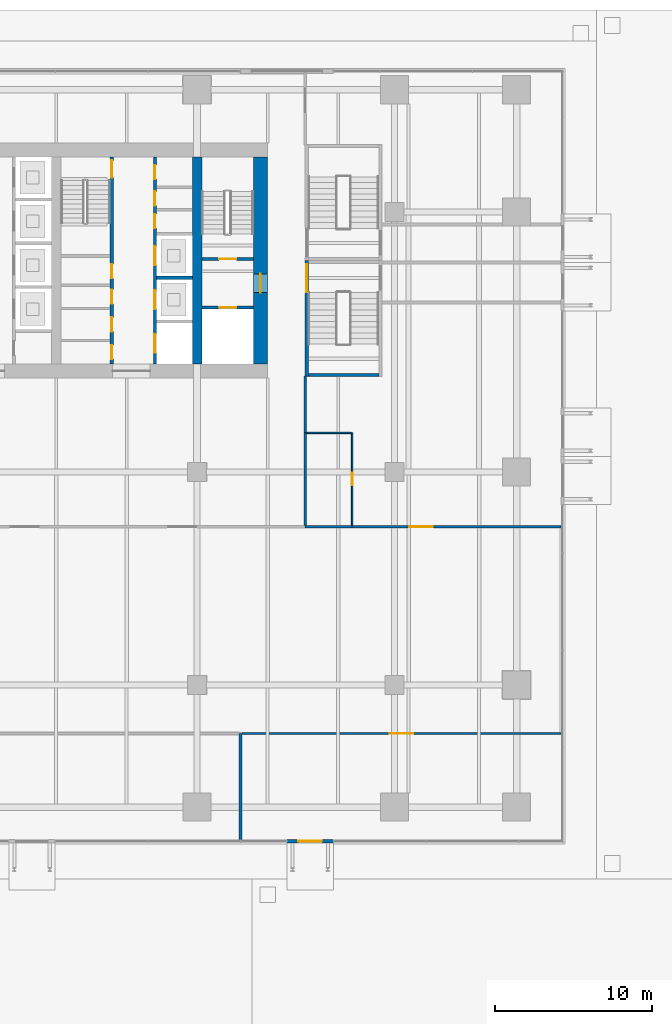
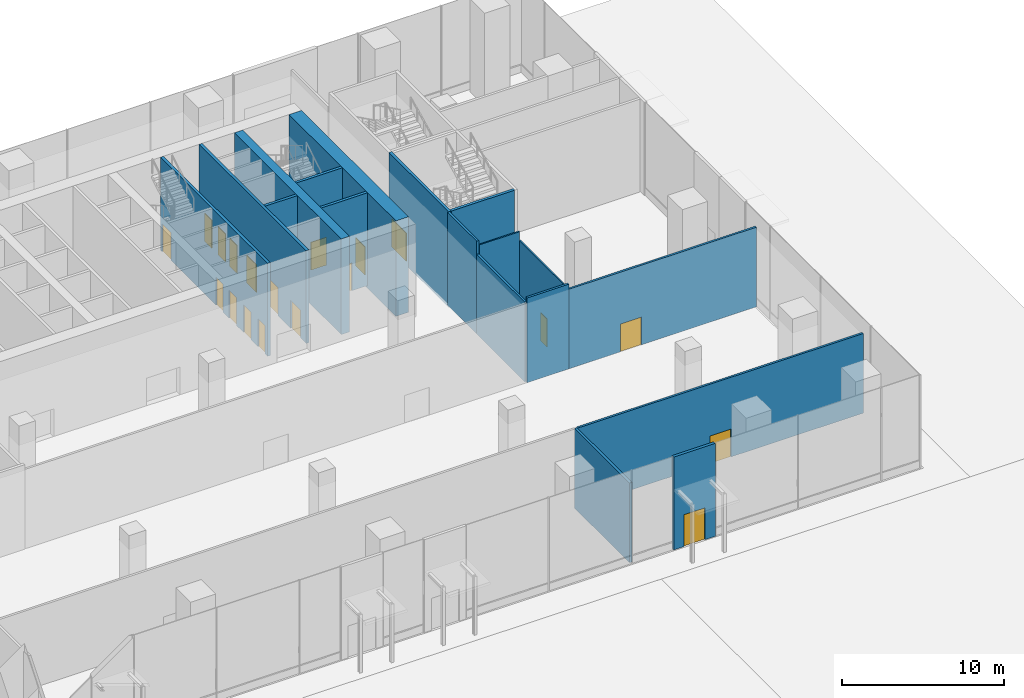
# One storey, part 31 of 41: 19 doors, 18 walls, 19 openings.
"""IFC4 building model written with IfcOpenShell, lengths in metres."""

from ifc_helpers import new_model, si_unit, direction, frame, frame_2d, origin, place, context, subcontext, project, spatial, rectangle, extrude, material, layer, layer_set, type_object, element, fill, save


model = new_model("IFC4")

# Units and contexts
model_context = context("Model", 3, precision=1e-05, world=origin(), true_north=direction((0.0, 1.0)))
body_context = subcontext(model_context, "Body", "Model", "MODEL_VIEW")
ifc_project = project(units=[si_unit("LENGTHUNIT", "METRE"), si_unit("AREAUNIT", "SQUARE_METRE"), si_unit("VOLUMEUNIT", "CUBIC_METRE"), si_unit("PLANEANGLEUNIT", "RADIAN"), si_unit("MASSUNIT", "GRAM", prefix="KILO")], contexts=[model_context])

# Site, building, storey
site_placement = place(None, origin())
site = spatial("IfcSite", under=ifc_project, at=site_placement, CompositionType="ELEMENT")
building_placement = place(site_placement, origin())
building = spatial("IfcBuilding", under=site, at=building_placement, Name="Rattan Terrace Tower", CompositionType="ELEMENT")
storey_placement = place(building_placement, origin())
storey = spatial("IfcBuildingStorey", under=building, at=storey_placement, Name="L00", CompositionType="ELEMENT", Elevation=0.0)

# Wall, opening, door
ifc_material_1 = material(Name="Gypsum board partition")
ifc_layer_1 = layer(ifc_material_1, 0.199951171875)
ifc_layer_set_1 = layer_set([ifc_layer_1], Name="Core partition 200")
wall_type_1 = type_object("IfcWallType", Name="Core partition 200", PredefinedType="PARTITIONING", material=ifc_layer_set_1)
wall_1_placement = place(storey_placement, frame((13.800048828125, -3.0, 0.0), z_axis=(0.0, 0.0, 1.0), x_axis=(1.0, 0.0, 0.0)))
wall_1 = element("IfcWall", 1, at=wall_1_placement, inside=storey, type_object=wall_type_1, Name="Fire-fighting lobby wall", PredefinedType="PARTITIONING", context=body_context, shape_type="SweptSolid", body=[
    extrude(rectangle(XDim=3.300048828125, YDim=0.199951171875, at=frame_2d((1.64990234375, 0.0))), origin(), (0.0, 0.0, 1.0), 7.0),
])
opening_1_placement = place(wall_1_placement, frame((1.10009765625, 0.0, 0.0)))
opening_1 = element("IfcOpeningElement", 2, at=opening_1_placement, cuts=wall_1, Name="Opening L00-LD-FF2", PredefinedType="OPENING", context=body_context, shape_type="SweptSolid", body=[
    extrude(rectangle(XDim=1.10009765625, YDim=2.10009765625, at=frame_2d((0.550048828125, 1.050048828125))), frame((0.0, 0.110595703125, 0.0), z_axis=(0.0, -1.0, 0.0), x_axis=(1.0, 0.0, 0.0)), (0.0, 0.0, 1.0), 0.220947265625),
])
ifc_material_2 = material(Name="Brushed stainless landing door panel")
door_type_1 = type_object("IfcDoorType", Name="Core lift landing door 1100", OperationType="DOUBLE_DOOR_SLIDING", PredefinedType="DOOR", material=ifc_material_2)
door_1_placement = place(opening_1_placement, origin())
door_1 = element("IfcDoor", 3, at=door_1_placement, inside=storey, type_object=door_type_1, Name="Door L00-LD-FF2", OperationType="DOUBLE_DOOR_SLIDING", OverallHeight=2.10009765625, OverallWidth=1.10009765625, PredefinedType="DOOR", context=body_context, shape_type="SweptSolid", body=[
    extrude(rectangle(XDim=1.10009765625, YDim=2.10009765625, at=frame_2d((0.550048828125, 1.050048828125))), frame((0.0, 0.02490234375, 0.0), z_axis=(0.0, -1.0, 0.0), x_axis=(1.0, 0.0, 0.0)), (0.0, 0.0, 1.0), 0.050048828125),
])
fill(opening_1, door_1)

wall_2_placement = place(storey_placement, frame((13.800048828125, 0.10009765625, 0.0), z_axis=(0.0, 0.0, 1.0), x_axis=(1.0, 0.0, 0.0)))
wall_2 = element("IfcWall", 4, at=wall_2_placement, inside=storey, type_object=wall_type_1, Name="Stair enclosure wall", PredefinedType="PARTITIONING", context=body_context, shape_type="SweptSolid", body=[
    extrude(rectangle(XDim=3.300048828125, YDim=0.199951171875, at=frame_2d((1.64990234375, 0.0))), origin(), (0.0, 0.0, 1.0), 7.0),
])
opening_2_placement = place(wall_2_placement, frame((1.10009765625, 0.0, 0.0)))
opening_2 = element("IfcOpeningElement", 5, at=opening_2_placement, cuts=wall_2, Name="Opening L00-D004", PredefinedType="OPENING", context=body_context, shape_type="SweptSolid", body=[
    extrude(rectangle(XDim=1.10009765625, YDim=2.10009765625, at=frame_2d((0.550048828125, 1.050048828125))), frame((0.0, 0.110595703125, 0.0), z_axis=(0.0, -1.0, 0.0), x_axis=(1.0, 0.0, 0.0)), (0.0, 0.0, 1.0), 0.220947265625),
])
ifc_material_3 = material(Name="Hollow-metal fire door leaf")
door_type_2 = type_object("IfcDoorType", Name="Core stair door 1100", OperationType="NOTDEFINED", PredefinedType="DOOR", material=ifc_material_3)
door_2_placement = place(opening_2_placement, origin())
door_2 = element("IfcDoor", 6, at=door_2_placement, inside=storey, type_object=door_type_2, Name="Door L00-D004", OperationType="SINGLE_SWING_LEFT", OverallHeight=2.10009765625, OverallWidth=1.10009765625, PredefinedType="DOOR", context=body_context, shape_type="SweptSolid", body=[
    extrude(rectangle(XDim=1.10009765625, YDim=2.10009765625, at=frame_2d((0.550048828125, 1.050048828125))), frame((0.0, 0.02490234375, 0.0), z_axis=(0.0, -1.0, 0.0), x_axis=(1.0, 0.0, 0.0)), (0.0, 0.0, 1.0), 0.050048828125),
])
fill(opening_2, door_2)

# Wall, openings, doors
wall_3_placement = place(storey_placement, frame((8.050048828125, -6.60009765625, 0.0), z_axis=(0.0, 0.0, 1.0), x_axis=(0.0, 1.0, 0.0)))
wall_3 = element("IfcWall", 7, at=wall_3_placement, inside=storey, type_object=wall_type_1, Name="Lobby wall west", PredefinedType="PARTITIONING", context=body_context, shape_type="SweptSolid", body=[
    extrude(rectangle(XDim=13.2001953125, YDim=0.199951171875, at=frame_2d((6.60009765625, 0.0))), origin(), (0.0, 0.0, 1.0), 7.0),
])
opening_3_placement = place(wall_3_placement, frame((0.298095703125, 0.0, 0.0)))
opening_3 = element("IfcOpeningElement", 8, at=opening_3_placement, cuts=wall_3, Name="Opening L00-D011", PredefinedType="OPENING", context=body_context, shape_type="SweptSolid", body=[
    extrude(rectangle(XDim=0.89990234375, YDim=2.10009765625, at=frame_2d((0.449951171875, 1.050048828125))), frame((0.0, 0.110595703125, 0.0), z_axis=(0.0, -1.0, 0.0), x_axis=(1.0, 0.0, 0.0)), (0.0, 0.0, 1.0), 0.220947265625),
])
opening_4_placement = place(wall_3_placement, frame((2.06591796875, 0.0, 0.0)))
opening_4 = element("IfcOpeningElement", 9, at=opening_4_placement, cuts=wall_3, Name="Opening L00-D012", PredefinedType="OPENING", context=body_context, shape_type="SweptSolid", body=[
    extrude(rectangle(XDim=0.89990234375, YDim=2.10009765625, at=frame_2d((0.449951171875, 1.050048828125))), frame((0.0, 0.110595703125, 0.0), z_axis=(0.0, -1.0, 0.0), x_axis=(1.0, 0.0, 0.0)), (0.0, 0.0, 1.0), 0.220947265625),
])
opening_5_placement = place(wall_3_placement, frame((3.833984375, 0.0, 0.0)))
opening_5 = element("IfcOpeningElement", 10, at=opening_5_placement, cuts=wall_3, Name="Opening L00-D013", PredefinedType="OPENING", context=body_context, shape_type="SweptSolid", body=[
    extrude(rectangle(XDim=0.89990234375, YDim=2.10009765625, at=frame_2d((0.449951171875, 1.050048828125))), frame((0.0, 0.110595703125, 0.0), z_axis=(0.0, -1.0, 0.0), x_axis=(1.0, 0.0, 0.0)), (0.0, 0.0, 1.0), 0.220947265625),
])
opening_6_placement = place(wall_3_placement, frame((5.466064453125, 0.0, 0.0)))
opening_6 = element("IfcOpeningElement", 11, at=opening_6_placement, cuts=wall_3, Name="Opening L00-D014", PredefinedType="OPENING", context=body_context, shape_type="SweptSolid", body=[
    extrude(rectangle(XDim=0.89990234375, YDim=2.10009765625, at=frame_2d((0.449951171875, 1.050048828125))), frame((0.0, 0.110595703125, 0.0), z_axis=(0.0, -1.0, 0.0), x_axis=(1.0, 0.0, 0.0)), (0.0, 0.0, 1.0), 0.220947265625),
])
opening_7_placement = place(wall_3_placement, frame((11.89990234375, 0.0, 0.0)))
opening_7 = element("IfcOpeningElement", 12, at=opening_7_placement, cuts=wall_3, Name="Opening L00-D015", PredefinedType="OPENING", context=body_context, shape_type="SweptSolid", body=[
    extrude(rectangle(XDim=1.10009765625, YDim=2.10009765625, at=frame_2d((0.550048828125, 1.050048828125))), frame((0.0, 0.110595703125, 0.0), z_axis=(0.0, -1.0, 0.0), x_axis=(1.0, 0.0, 0.0)), (0.0, 0.0, 1.0), 0.220947265625),
])
ifc_material_4 = material(Name="Hollow-metal fire door leaf")
door_type_3 = type_object("IfcDoorType", Name="Core service room door 900", OperationType="NOTDEFINED", PredefinedType="DOOR", material=ifc_material_4)
door_3_placement = place(opening_6_placement, origin())
door_3 = element("IfcDoor", 13, at=door_3_placement, inside=storey, type_object=door_type_3, Name="Door L00-D014", OperationType="SINGLE_SWING_LEFT", OverallHeight=2.10009765625, OverallWidth=0.89990234375, PredefinedType="DOOR", context=body_context, shape_type="SweptSolid", body=[
    extrude(rectangle(XDim=0.89990234375, YDim=2.10009765625, at=frame_2d((0.449951171875, 1.050048828125))), frame((0.0, 0.02490234375, 0.0), z_axis=(0.0, -1.0, 0.0), x_axis=(1.0, 0.0, 0.0)), (0.0, 0.0, 1.0), 0.050048828125),
])
fill(opening_6, door_3)
door_4_placement = place(opening_7_placement, origin())
door_4 = element("IfcDoor", 14, at=door_4_placement, inside=storey, type_object=door_type_2, Name="Door L00-D015", OperationType="SINGLE_SWING_RIGHT", OverallHeight=2.10009765625, OverallWidth=1.10009765625, PredefinedType="DOOR", context=body_context, shape_type="SweptSolid", body=[
    extrude(rectangle(XDim=1.10009765625, YDim=2.10009765625, at=frame_2d((0.550048828125, 1.050048828125))), frame((0.0, 0.02490234375, 0.0), z_axis=(0.0, -1.0, 0.0), x_axis=(1.0, 0.0, 0.0)), (0.0, 0.0, 1.0), 0.050048828125),
])
fill(opening_7, door_4)
ifc_material_5 = material(Name="Hollow-metal fire door leaf")
door_type_4 = type_object("IfcDoorType", Name="Core toilet door 900", OperationType="NOTDEFINED", PredefinedType="DOOR", material=ifc_material_5)
door_5_placement = place(opening_3_placement, origin())
door_5 = element("IfcDoor", 15, at=door_5_placement, inside=storey, type_object=door_type_4, Name="Door L00-D011", OperationType="SINGLE_SWING_RIGHT", OverallHeight=2.10009765625, OverallWidth=0.89990234375, PredefinedType="DOOR", context=body_context, shape_type="SweptSolid", body=[
    extrude(rectangle(XDim=0.89990234375, YDim=2.10009765625, at=frame_2d((0.449951171875, 1.050048828125))), frame((0.0, 0.02490234375, 0.0), z_axis=(0.0, -1.0, 0.0), x_axis=(1.0, 0.0, 0.0)), (0.0, 0.0, 1.0), 0.050048828125),
])
fill(opening_3, door_5)
door_6_placement = place(opening_4_placement, origin())
door_6 = element("IfcDoor", 16, at=door_6_placement, inside=storey, type_object=door_type_4, Name="Door L00-D012", OperationType="SINGLE_SWING_LEFT", OverallHeight=2.10009765625, OverallWidth=0.89990234375, PredefinedType="DOOR", context=body_context, shape_type="SweptSolid", body=[
    extrude(rectangle(XDim=0.89990234375, YDim=2.10009765625, at=frame_2d((0.449951171875, 1.050048828125))), frame((0.0, 0.02490234375, 0.0), z_axis=(0.0, -1.0, 0.0), x_axis=(1.0, 0.0, 0.0)), (0.0, 0.0, 1.0), 0.050048828125),
])
fill(opening_4, door_6)
door_7_placement = place(opening_5_placement, origin())
door_7 = element("IfcDoor", 17, at=door_7_placement, inside=storey, type_object=door_type_4, Name="Door L00-D013", OperationType="SINGLE_SWING_RIGHT", OverallHeight=2.10009765625, OverallWidth=0.89990234375, PredefinedType="DOOR", context=body_context, shape_type="SweptSolid", body=[
    extrude(rectangle(XDim=0.89990234375, YDim=2.10009765625, at=frame_2d((0.449951171875, 1.050048828125))), frame((0.0, 0.02490234375, 0.0), z_axis=(0.0, -1.0, 0.0), x_axis=(1.0, 0.0, 0.0)), (0.0, 0.0, 1.0), 0.050048828125),
])
fill(opening_5, door_7)

# Wall, opening, door
ifc_material_6 = material(Name="Concrete C70/85", Category="concrete")
ifc_layer_2 = layer(ifc_material_6, 0.89990234375)
ifc_layer_set_2 = layer_set([ifc_layer_2], Name="Core ring wall 900 C70/85")
wall_type_2 = type_object("IfcWallType", Name="Core ring wall 900 C70/85", PredefinedType="SHEAR", material=ifc_layer_set_2)
wall_4_placement = place(storey_placement, frame((17.550048828125, -6.60009765625, -0.199951171875), z_axis=(0.0, 0.0, 1.0), x_axis=(0.0, 1.0, 0.0)))
wall_4 = element("IfcWall", 18, at=wall_4_placement, inside=storey, type_object=wall_type_2, Name="Rear core wall east", PredefinedType="SHEAR", context=body_context, shape_type="SweptSolid", body=[
    extrude(rectangle(XDim=13.2001953125, YDim=0.89990234375, at=frame_2d((6.60009765625, 0.0))), origin(), (0.0, 0.0, 1.0), 7.199951171875),
])
opening_8_placement = place(wall_4_placement, frame((4.550048828125, 0.0, 0.199951171875)))
opening_8 = element("IfcOpeningElement", 19, at=opening_8_placement, cuts=wall_4, Name="Opening L00-D003", PredefinedType="OPENING", context=body_context, shape_type="SweptSolid", body=[
    extrude(rectangle(XDim=1.199951171875, YDim=2.10009765625, at=frame_2d((0.60009765625, 1.050048828125))), frame((0.0, 0.46044921875, 0.0), z_axis=(0.0, -1.0, 0.0), x_axis=(1.0, 0.0, 0.0)), (0.0, 0.0, 1.0), 0.9208984375),
])
ifc_material_7 = material(Name="Hollow-metal fire door leaf")
door_type_5 = type_object("IfcDoorType", Name="Core fire-fighting lobby door 1200", OperationType="NOTDEFINED", PredefinedType="DOOR", material=ifc_material_7)
door_8_placement = place(opening_8_placement, origin())
door_8 = element("IfcDoor", 20, at=door_8_placement, inside=storey, type_object=door_type_5, Name="Door L00-D003", OperationType="SINGLE_SWING_RIGHT", OverallHeight=2.10009765625, OverallWidth=1.199951171875, PredefinedType="DOOR", context=body_context, shape_type="SweptSolid", body=[
    extrude(rectangle(XDim=1.199951171875, YDim=2.10009765625, at=frame_2d((0.60009765625, 1.050048828125))), frame((0.0, 0.02490234375, 0.0), z_axis=(0.0, -1.0, 0.0), x_axis=(1.0, 0.0, 0.0)), (0.0, 0.0, 1.0), 0.050048828125),
])
fill(opening_8, door_8)

# Wall
ifc_material_8 = material(Name="Concrete C70/85", Category="concrete")
ifc_layer_3 = layer(ifc_material_8, 0.60009765625)
ifc_layer_set_3 = layer_set([ifc_layer_3], Name="Core spine wall 600 C70/85")
wall_type_3 = type_object("IfcWallType", Name="Core spine wall 600 C70/85", PredefinedType="SHEAR", material=ifc_layer_set_3)
wall_5_placement = place(storey_placement, frame((13.5, -6.60009765625, -0.199951171875), z_axis=(0.0, 0.0, 1.0), x_axis=(0.0, 1.0, 0.0)))
element("IfcWall", 21, at=wall_5_placement, inside=storey, type_object=wall_type_3, Name="Core spine wall 4", PredefinedType="SHEAR", context=body_context, shape_type="SweptSolid", body=[
    extrude(rectangle(XDim=13.2001953125, YDim=0.60009765625, at=frame_2d((6.60009765625, 0.0))), origin(), (0.0, 0.0, 1.0), 7.199951171875),
])

# Wall, opening, door
ifc_material_9 = material(Name="Insulated aluminium-clad stud wall", Category="aluminium")
ifc_layer_4 = layer(ifc_material_9, 0.199951171875)
ifc_layer_set_4 = layer_set([ifc_layer_4], Name="Facade Door Wall 200")
wall_type_4 = type_object("IfcWallType", Name="Facade Door Wall 200", PredefinedType="SOLIDWALL", material=ifc_layer_set_4)
wall_6_placement = place(storey_placement, frame((22.199951171875, -37.080078125, 0.0), z_axis=(0.0, 0.0, 1.0), x_axis=(-1.0, 0.0, 0.0)))
wall_6 = element("IfcWall", 22, at=wall_6_placement, inside=storey, type_object=wall_type_4, Name="Exit door wall L00-14", PredefinedType="SOLIDWALL", context=body_context, shape_type="SweptSolid", body=[
    extrude(rectangle(XDim=2.9599609375, YDim=0.199951171875, at=frame_2d((1.47998046875, 0.0))), origin(), (0.0, 0.0, 1.0), 7.0),
])
opening_9_placement = place(wall_6_placement, frame((0.72998046875, 0.0, 0.0)))
opening_9 = element("IfcOpeningElement", 23, at=opening_9_placement, cuts=wall_6, Name="Opening L00-D809", PredefinedType="OPENING", context=body_context, shape_type="SweptSolid", body=[
    extrude(rectangle(XDim=1.5, YDim=2.39990234375, at=frame_2d((0.75, 1.199951171875))), frame((0.0, 0.110595703125, 0.0), z_axis=(0.0, -1.0, 0.0), x_axis=(1.0, 0.0, 0.0)), (0.0, 0.0, 1.0), 0.220947265625),
])
ifc_material_10 = material(Name="Aluminium and clear glass", Category="aluminium")
door_type_6 = type_object("IfcDoorType", Name="Facade Station Exit Door 1500", OperationType="DOUBLE_DOOR_SINGLE_SWING", PredefinedType="DOOR", material=ifc_material_10)
door_9_placement = place(opening_9_placement, origin())
door_9 = element("IfcDoor", 24, at=door_9_placement, inside=storey, type_object=door_type_6, Name="Exit door L00-D809", OperationType="DOUBLE_DOOR_SINGLE_SWING", OverallHeight=2.39990234375, OverallWidth=1.5, PredefinedType="DOOR", context=body_context, shape_type="SweptSolid", body=[
    extrude(rectangle(XDim=1.5, YDim=2.39990234375, at=frame_2d((0.75, 1.199951171875))), frame((0.0, 0.02490234375, 0.0), z_axis=(0.0, -1.0, 0.0), x_axis=(1.0, 0.0, 0.0)), (0.0, 0.0, 1.0), 0.050048828125),
])
fill(opening_9, door_9)

# Walls
ifc_material_11 = material(Name="Double steel stud acoustic partition, gypsum board, mineral wool, fire rated", Category="steel")
ifc_layer_5 = layer(ifc_material_11, 0.179931640625)
ifc_layer_set_5 = layer_set([ifc_layer_5], Name="Floors Acoustic Party Wall 180")
wall_type_5 = type_object("IfcWallType", Name="Floors Acoustic Party Wall 180", PredefinedType="PARTITIONING", material=ifc_layer_set_5)
wall_7_placement = place(storey_placement, frame((16.280029296875, -30.199951171875, 0.0), z_axis=(0.0, 0.0, 1.0), x_axis=(0.0, -1.0, 0.0)))
element("IfcWall", 25, at=wall_7_placement, inside=storey, type_object=wall_type_5, Name="pt-L00-020", PredefinedType="PARTITIONING", context=body_context, shape_type="SweptSolid", body=[
    extrude(rectangle(XDim=6.7900390625, YDim=0.179931640625, at=frame_2d((3.39501953125, 0.0))), origin(), (0.0, 0.0, 1.0), 6.0),
])
ifc_material_12 = material(Name="Gypsum board partition on steel studs", Category="steel")
ifc_layer_6 = layer(ifc_material_12, 0.10009765625)
ifc_layer_set_6 = layer_set([ifc_layer_6], Name="Floors Partition 100")
wall_type_6 = type_object("IfcWallType", Name="Floors Partition 100", PredefinedType="PARTITIONING", material=ifc_layer_set_6)
wall_8_placement = place(storey_placement, frame((23.35009765625, -10.9990234375, 0.0), z_axis=(0.0, 0.0, 1.0), x_axis=(-1.0, 0.0, 0.0)))
element("IfcWall", 26, at=wall_8_placement, inside=storey, type_object=wall_type_6, Name="pt-L00-017", PredefinedType="PARTITIONING", context=body_context, shape_type="SweptSolid", body=[
    extrude(rectangle(XDim=2.875, YDim=0.10009765625, at=frame_2d((1.4375, 0.0))), origin(), (0.0, 0.0, 1.0), 6.699951171875),
])

# Wall, opening, door
wall_9_placement = place(storey_placement, frame((23.39990234375, -16.925048828125, 0.0), z_axis=(0.0, 0.0, 1.0), x_axis=(0.0, 1.0, 0.0)))
wall_9 = element("IfcWall", 27, at=wall_9_placement, inside=storey, type_object=wall_type_6, Name="pt-L00-018", PredefinedType="PARTITIONING", context=body_context, shape_type="SweptSolid", body=[
    extrude(rectangle(XDim=5.926025390625, YDim=0.10009765625, at=frame_2d((2.962890625, 0.0))), origin(), (0.0, 0.0, 1.0), 6.0),
])
opening_10_placement = place(wall_9_placement, frame((2.56298828125, 0.0, 0.0)))
opening_10 = element("IfcOpeningElement", 28, at=opening_10_placement, cuts=wall_9, Name="Opening L00-D106", PredefinedType="OPENING", context=body_context, shape_type="SweptSolid", body=[
    extrude(rectangle(XDim=0.800048828125, YDim=2.10009765625, at=frame_2d((0.39990234375, 1.050048828125))), frame((0.0, 0.060546875, 0.0), z_axis=(0.0, -1.0, 0.0), x_axis=(1.0, 0.0, 0.0)), (0.0, 0.0, 1.0), 0.12109375),
])
ifc_material_13 = material(Name="Solid core timber door, painted", Category="wood")
door_type_7 = type_object("IfcDoorType", Name="Floors Store Door 800x2100", OperationType="NOTDEFINED", PredefinedType="DOOR", material=ifc_material_13)
door_10_placement = place(opening_10_placement, origin())
door_10 = element("IfcDoor", 29, at=door_10_placement, inside=storey, type_object=door_type_7, Name="d-L00-106", OperationType="SINGLE_SWING_LEFT", OverallHeight=2.10009765625, OverallWidth=0.800048828125, PredefinedType="DOOR", context=body_context, shape_type="SweptSolid", body=[
    extrude(rectangle(XDim=0.800048828125, YDim=2.10009765625, at=frame_2d((0.39990234375, 1.050048828125))), frame((0.0, 0.02490234375, 0.0), z_axis=(0.0, -1.0, 0.0), x_axis=(1.0, 0.0, 0.0)), (0.0, 0.0, 1.0), 0.050048828125),
])
fill(opening_10, door_10)

# Walls
ifc_material_14 = material(Name="Gypsum board partition on steel studs, fire rated", Category="steel")
ifc_layer_7 = layer(ifc_material_14, 0.14990234375)
ifc_layer_set_7 = layer_set([ifc_layer_7], Name="Floors Tenancy Wall 150")
wall_type_7 = type_object("IfcWallType", Name="Floors Tenancy Wall 150", PredefinedType="PARTITIONING", material=ifc_layer_set_7)
wall_10_placement = place(storey_placement, frame((20.39990234375, -7.3798828125, 0.0), z_axis=(0.0, 0.0, 1.0), x_axis=(0.0, -1.0, 0.0)))
element("IfcWall", 30, at=wall_10_placement, inside=storey, type_object=wall_type_7, Name="pt-L00-006", PredefinedType="PARTITIONING", context=body_context, shape_type="SweptSolid", body=[
    extrude(rectangle(XDim=3.59912109375, YDim=0.14990234375, at=frame_2d((1.799560546875, 0.0))), origin(), (0.0, 0.0, 1.0), 7.0),
])
wall_11_placement = place(storey_placement, frame((20.39990234375, -10.97900390625, 0.0), z_axis=(0.0, 0.0, 1.0), x_axis=(0.0, -1.0, 0.0)))
element("IfcWall", 31, at=wall_11_placement, inside=storey, type_object=wall_type_7, Name="pt-L00-007", PredefinedType="PARTITIONING", context=body_context, shape_type="SweptSolid", body=[
    extrude(rectangle(XDim=5.946044921875, YDim=0.14990234375, at=frame_2d((2.97314453125, 0.0))), origin(), (0.0, 0.0, 1.0), 6.0),
])

# Wall, opening, door
wall_12_placement = place(storey_placement, frame((23.3798828125, -17.0, 0.0), z_axis=(0.0, 0.0, 1.0), x_axis=(1.0, 0.0, 0.0)))
wall_12 = element("IfcWall", 32, at=wall_12_placement, inside=storey, type_object=wall_type_7, Name="pt-L00-012", PredefinedType="PARTITIONING", context=body_context, shape_type="SweptSolid", body=[
    extrude(rectangle(XDim=13.360107421875, YDim=0.14990234375, at=frame_2d((6.68017578125, 0.0))), origin(), (0.0, 0.0, 1.0), 6.0),
])
opening_11_placement = place(wall_12_placement, frame((3.657958984375, 0.0, 0.0)))
opening_11 = element("IfcOpeningElement", 33, at=opening_11_placement, cuts=wall_12, Name="Opening L00-D105", PredefinedType="OPENING", context=body_context, shape_type="SweptSolid", body=[
    extrude(rectangle(XDim=1.5, YDim=2.10009765625, at=frame_2d((0.75, 1.050048828125))), frame((0.0, 0.08544921875, 0.0), z_axis=(0.0, -1.0, 0.0), x_axis=(1.0, 0.0, 0.0)), (0.0, 0.0, 1.0), 0.1708984375),
])
ifc_material_15 = material(Name="Steel fire door set", Category="steel")
door_type_8 = type_object("IfcDoorType", Name="Floors Unit Door Pair FD30S 1500x2100", OperationType="NOTDEFINED", PredefinedType="DOOR", material=ifc_material_15)
door_11_placement = place(opening_11_placement, origin())
door_11 = element("IfcDoor", 34, at=door_11_placement, inside=storey, type_object=door_type_8, Name="d-L00-105", OperationType="DOUBLE_DOOR_SINGLE_SWING", OverallHeight=2.10009765625, OverallWidth=1.5, PredefinedType="DOOR", context=body_context, shape_type="SweptSolid", body=[
    extrude(rectangle(XDim=1.5, YDim=2.10009765625, at=frame_2d((0.75, 1.050048828125))), frame((0.0, 0.02490234375, 0.0), z_axis=(0.0, -1.0, 0.0), x_axis=(1.0, 0.0, 0.0)), (0.0, 0.0, 1.0), 0.050048828125),
])
fill(opening_11, door_11)

# Wall
wall_13_placement = place(storey_placement, frame((20.39990234375, -17.0, 0.0), z_axis=(0.0, 0.0, 1.0), x_axis=(1.0, 0.0, 0.0)))
element("IfcWall", 35, at=wall_13_placement, inside=storey, type_object=wall_type_7, Name="pt-L00-013", PredefinedType="PARTITIONING", context=body_context, shape_type="SweptSolid", body=[
    extrude(rectangle(XDim=2.97998046875, YDim=0.14990234375, at=frame_2d((1.489990234375, 0.0))), origin(), (0.0, 0.0, 1.0), 6.389892578125),
])

# Wall, opening, door
wall_14_placement = place(storey_placement, frame((36.739990234375, -30.199951171875, 0.0), z_axis=(0.0, 0.0, 1.0), x_axis=(-1.0, 0.0, 0.0)))
wall_14 = element("IfcWall", 36, at=wall_14_placement, inside=storey, type_object=wall_type_7, Name="pt-L00-016", PredefinedType="PARTITIONING", context=body_context, shape_type="SweptSolid", body=[
    extrude(rectangle(XDim=20.369873046875, YDim=0.14990234375, at=frame_2d((10.18505859375, 0.0))), origin(), (0.0, 0.0, 1.0), 6.0),
])
opening_12_placement = place(wall_14_placement, frame((9.43505859375, 0.0, 0.0)))
opening_12 = element("IfcOpeningElement", 37, at=opening_12_placement, cuts=wall_14, Name="Opening L00-D110", PredefinedType="OPENING", context=body_context, shape_type="SweptSolid", body=[
    extrude(rectangle(XDim=1.5, YDim=2.10009765625, at=frame_2d((0.75, 1.050048828125))), frame((0.0, 0.08544921875, 0.0), z_axis=(0.0, -1.0, 0.0), x_axis=(1.0, 0.0, 0.0)), (0.0, 0.0, 1.0), 0.1708984375),
])
door_12_placement = place(opening_12_placement, origin())
door_12 = element("IfcDoor", 38, at=door_12_placement, inside=storey, type_object=door_type_8, Name="d-L00-110", OperationType="DOUBLE_DOOR_SINGLE_SWING", OverallHeight=2.10009765625, OverallWidth=1.5, PredefinedType="DOOR", context=body_context, shape_type="SweptSolid", body=[
    extrude(rectangle(XDim=1.5, YDim=2.10009765625, at=frame_2d((0.75, 1.050048828125))), frame((0.0, 0.02490234375, 0.0), z_axis=(0.0, -1.0, 0.0), x_axis=(1.0, 0.0, 0.0)), (0.0, 0.0, 1.0), 0.050048828125),
])
fill(opening_12, door_12)

# Wall, openings, doors
ifc_material_16 = material(Name="Gypsum shaft wall system")
ifc_layer_8 = layer(ifc_material_16, 0.199951171875)
ifc_layer_set_8 = layer_set([ifc_layer_8], Name="Lift shaft wall 200")
wall_type_8 = type_object("IfcWallType", Name="Lift shaft wall 200", PredefinedType="PARTITIONING", material=ifc_layer_set_8)
wall_15_placement = place(storey_placement, frame((10.800048828125, -6.60009765625, 0.0), z_axis=(0.0, 0.0, 1.0), x_axis=(0.0, 1.0, 0.0)))
wall_15 = element("IfcWall", 39, at=wall_15_placement, inside=storey, type_object=wall_type_8, Name="Lift shaft front wall", PredefinedType="PARTITIONING", context=body_context, shape_type="SweptSolid", body=[
    extrude(rectangle(XDim=13.2001953125, YDim=0.199951171875, at=frame_2d((6.60009765625, 0.0))), origin(), (0.0, 0.0, 1.0), 7.0),
])
opening_13_placement = place(wall_15_placement, frame((0.699951171875, 0.0, 0.0)))
opening_13 = element("IfcOpeningElement", 40, at=opening_13_placement, cuts=wall_15, Name="Opening L00-LD-SV1", PredefinedType="OPENING", context=body_context, shape_type="SweptSolid", body=[
    extrude(rectangle(XDim=1.199951171875, YDim=2.10009765625, at=frame_2d((0.60009765625, 1.050048828125))), frame((0.0, 0.110595703125, 0.0), z_axis=(0.0, -1.0, 0.0), x_axis=(1.0, 0.0, 0.0)), (0.0, 0.0, 1.0), 0.220947265625),
])
opening_14_placement = place(wall_15_placement, frame((3.5, 0.0, 0.0)))
opening_14 = element("IfcOpeningElement", 41, at=opening_14_placement, cuts=wall_15, Name="Opening L00-LD-OBS1", PredefinedType="OPENING", context=body_context, shape_type="SweptSolid", body=[
    extrude(rectangle(XDim=1.199951171875, YDim=2.10009765625, at=frame_2d((0.60009765625, 1.050048828125))), frame((0.0, 0.110595703125, 0.0), z_axis=(0.0, -1.0, 0.0), x_axis=(1.0, 0.0, 0.0)), (0.0, 0.0, 1.0), 0.220947265625),
])
opening_15_placement = place(wall_15_placement, frame((6.300048828125, 0.0, 0.0)))
opening_15 = element("IfcOpeningElement", 42, at=opening_15_placement, cuts=wall_15, Name="Opening L00-LD-OBS2", PredefinedType="OPENING", context=body_context, shape_type="SweptSolid", body=[
    extrude(rectangle(XDim=1.199951171875, YDim=2.10009765625, at=frame_2d((0.60009765625, 1.050048828125))), frame((0.0, 0.110595703125, 0.0), z_axis=(0.0, -1.0, 0.0), x_axis=(1.0, 0.0, 0.0)), (0.0, 0.0, 1.0), 0.220947265625),
])
opening_16_placement = place(wall_15_placement, frame((8.669921875, 0.0, 0.0)))
opening_16 = element("IfcOpeningElement", 43, at=opening_16_placement, cuts=wall_15, Name="Opening L00-D017", PredefinedType="OPENING", context=body_context, shape_type="SweptSolid", body=[
    extrude(rectangle(XDim=0.89990234375, YDim=2.10009765625, at=frame_2d((0.449951171875, 1.050048828125))), frame((0.0, 0.110595703125, 0.0), z_axis=(0.0, -1.0, 0.0), x_axis=(1.0, 0.0, 0.0)), (0.0, 0.0, 1.0), 0.220947265625),
])
opening_17_placement = place(wall_15_placement, frame((10.110107421875, 0.0, 0.0)))
opening_17 = element("IfcOpeningElement", 44, at=opening_17_placement, cuts=wall_15, Name="Opening L00-D018", PredefinedType="OPENING", context=body_context, shape_type="SweptSolid", body=[
    extrude(rectangle(XDim=0.89990234375, YDim=2.10009765625, at=frame_2d((0.449951171875, 1.050048828125))), frame((0.0, 0.110595703125, 0.0), z_axis=(0.0, -1.0, 0.0), x_axis=(1.0, 0.0, 0.0)), (0.0, 0.0, 1.0), 0.220947265625),
])
opening_18_placement = place(wall_15_placement, frame((11.7900390625, 0.0, 0.0)))
opening_18 = element("IfcOpeningElement", 45, at=opening_18_placement, cuts=wall_15, Name="Opening L00-D019", PredefinedType="OPENING", context=body_context, shape_type="SweptSolid", body=[
    extrude(rectangle(XDim=0.89990234375, YDim=2.10009765625, at=frame_2d((0.449951171875, 1.050048828125))), frame((0.0, 0.110595703125, 0.0), z_axis=(0.0, -1.0, 0.0), x_axis=(1.0, 0.0, 0.0)), (0.0, 0.0, 1.0), 0.220947265625),
])
ifc_material_17 = material(Name="Brushed stainless landing door panel")
door_type_9 = type_object("IfcDoorType", Name="Core lift landing door 1200", OperationType="DOUBLE_DOOR_SLIDING", PredefinedType="DOOR", material=ifc_material_17)
door_13_placement = place(opening_13_placement, origin())
door_13 = element("IfcDoor", 46, at=door_13_placement, inside=storey, type_object=door_type_9, Name="Door L00-LD-SV1", OperationType="DOUBLE_DOOR_SLIDING", OverallHeight=2.10009765625, OverallWidth=1.199951171875, PredefinedType="DOOR", context=body_context, shape_type="SweptSolid", body=[
    extrude(rectangle(XDim=1.199951171875, YDim=2.10009765625, at=frame_2d((0.60009765625, 1.050048828125))), frame((0.0, 0.02490234375, 0.0), z_axis=(0.0, -1.0, 0.0), x_axis=(1.0, 0.0, 0.0)), (0.0, 0.0, 1.0), 0.050048828125),
])
fill(opening_13, door_13)
door_14_placement = place(opening_14_placement, origin())
door_14 = element("IfcDoor", 47, at=door_14_placement, inside=storey, type_object=door_type_9, Name="Door L00-LD-OBS1", OperationType="DOUBLE_DOOR_SLIDING", OverallHeight=2.10009765625, OverallWidth=1.199951171875, PredefinedType="DOOR", context=body_context, shape_type="SweptSolid", body=[
    extrude(rectangle(XDim=1.199951171875, YDim=2.10009765625, at=frame_2d((0.60009765625, 1.050048828125))), frame((0.0, 0.02490234375, 0.0), z_axis=(0.0, -1.0, 0.0), x_axis=(1.0, 0.0, 0.0)), (0.0, 0.0, 1.0), 0.050048828125),
])
fill(opening_14, door_14)
door_15_placement = place(opening_15_placement, origin())
door_15 = element("IfcDoor", 48, at=door_15_placement, inside=storey, type_object=door_type_9, Name="Door L00-LD-OBS2", OperationType="DOUBLE_DOOR_SLIDING", OverallHeight=2.10009765625, OverallWidth=1.199951171875, PredefinedType="DOOR", context=body_context, shape_type="SweptSolid", body=[
    extrude(rectangle(XDim=1.199951171875, YDim=2.10009765625, at=frame_2d((0.60009765625, 1.050048828125))), frame((0.0, 0.02490234375, 0.0), z_axis=(0.0, -1.0, 0.0), x_axis=(1.0, 0.0, 0.0)), (0.0, 0.0, 1.0), 0.050048828125),
])
fill(opening_15, door_15)
ifc_material_18 = material(Name="Hollow-metal fire door leaf")
door_type_10 = type_object("IfcDoorType", Name="Core riser door 900", OperationType="NOTDEFINED", PredefinedType="DOOR", material=ifc_material_18)
door_16_placement = place(opening_16_placement, origin())
door_16 = element("IfcDoor", 49, at=door_16_placement, inside=storey, type_object=door_type_10, Name="Door L00-D017", OperationType="SINGLE_SWING_LEFT", OverallHeight=2.10009765625, OverallWidth=0.89990234375, PredefinedType="DOOR", context=body_context, shape_type="SweptSolid", body=[
    extrude(rectangle(XDim=0.89990234375, YDim=2.10009765625, at=frame_2d((0.449951171875, 1.050048828125))), frame((0.0, 0.02490234375, 0.0), z_axis=(0.0, -1.0, 0.0), x_axis=(1.0, 0.0, 0.0)), (0.0, 0.0, 1.0), 0.050048828125),
])
fill(opening_16, door_16)
door_17_placement = place(opening_17_placement, origin())
door_17 = element("IfcDoor", 50, at=door_17_placement, inside=storey, type_object=door_type_10, Name="Door L00-D018", OperationType="SINGLE_SWING_RIGHT", OverallHeight=2.10009765625, OverallWidth=0.89990234375, PredefinedType="DOOR", context=body_context, shape_type="SweptSolid", body=[
    extrude(rectangle(XDim=0.89990234375, YDim=2.10009765625, at=frame_2d((0.449951171875, 1.050048828125))), frame((0.0, 0.02490234375, 0.0), z_axis=(0.0, -1.0, 0.0), x_axis=(1.0, 0.0, 0.0)), (0.0, 0.0, 1.0), 0.050048828125),
])
fill(opening_17, door_17)
door_18_placement = place(opening_18_placement, origin())
door_18 = element("IfcDoor", 51, at=door_18_placement, inside=storey, type_object=door_type_3, Name="Door L00-D019", OperationType="SINGLE_SWING_LEFT", OverallHeight=2.10009765625, OverallWidth=0.89990234375, PredefinedType="DOOR", context=body_context, shape_type="SweptSolid", body=[
    extrude(rectangle(XDim=0.89990234375, YDim=2.10009765625, at=frame_2d((0.449951171875, 1.050048828125))), frame((0.0, 0.02490234375, 0.0), z_axis=(0.0, -1.0, 0.0), x_axis=(1.0, 0.0, 0.0)), (0.0, 0.0, 1.0), 0.050048828125),
])
fill(opening_18, door_18)

# Wall
wall_16_placement = place(storey_placement, frame((10.89990234375, -1.10009765625, 0.0), z_axis=(0.0, 0.0, 1.0), x_axis=(1.0, 0.0, 0.0)))
element("IfcWall", 52, at=wall_16_placement, inside=storey, type_object=wall_type_8, Name="Lift shaft wall", PredefinedType="PARTITIONING", context=body_context, shape_type="SweptSolid", body=[
    extrude(rectangle(XDim=2.300048828125, YDim=0.199951171875, at=frame_2d((1.14990234375, 0.0))), origin(), (0.0, 0.0, 1.0), 7.0),
])

# Wall, opening, door
ifc_material_19 = material(Name="Concrete C40/50", Category="concrete")
ifc_layer_9 = layer(ifc_material_19, 0.199951171875)
ifc_layer_set_9 = layer_set([ifc_layer_9], Name="Podium exit stair shaft wall 200")
wall_type_9 = type_object("IfcWallType", Name="Podium exit stair shaft wall 200", PredefinedType="SHEAR", material=ifc_layer_set_9)
wall_17_placement = place(storey_placement, frame((20.5, -7.39990234375, -0.199951171875), z_axis=(0.0, 0.0, 1.0), x_axis=(0.0, 1.0, 0.0)))
wall_17 = element("IfcWall", 53, at=wall_17_placement, inside=storey, type_object=wall_type_9, Name="L00 stair S6 shaft wall", PredefinedType="SHEAR", context=body_context, shape_type="SweptSolid", body=[
    extrude(rectangle(XDim=7.39990234375, YDim=0.199951171875, at=frame_2d((3.699951171875, 0.0))), origin(), (0.0, 0.0, 1.0), 7.199951171875),
])
opening_19_placement = place(wall_17_placement, frame((5.375, 0.0, 0.199951171875)))
opening_19 = element("IfcOpeningElement", 54, at=opening_19_placement, cuts=wall_17, Name="Opening L00-D903", PredefinedType="OPENING", context=body_context, shape_type="SweptSolid", body=[
    extrude(rectangle(XDim=1.800048828125, YDim=2.10009765625, at=frame_2d((0.89990234375, 1.050048828125))), frame((0.0, 0.110595703125, 0.0), z_axis=(0.0, -1.0, 0.0), x_axis=(1.0, 0.0, 0.0)), (0.0, 0.0, 1.0), 0.220947265625),
])
ifc_material_20 = material(Name="Hollow-metal fire door leaf")
door_type_11 = type_object("IfcDoorType", Name="Podium exit stair door pair 1800", OperationType="DOUBLE_DOOR_SINGLE_SWING", PredefinedType="DOOR", material=ifc_material_20)
door_19_placement = place(opening_19_placement, origin())
door_19 = element("IfcDoor", 55, at=door_19_placement, inside=storey, type_object=door_type_11, Name="Door L00-D903", OperationType="DOUBLE_DOOR_SINGLE_SWING", OverallHeight=2.10009765625, OverallWidth=1.800048828125, PredefinedType="DOOR", context=body_context, shape_type="SweptSolid", body=[
    extrude(rectangle(XDim=1.800048828125, YDim=2.10009765625, at=frame_2d((0.89990234375, 1.050048828125))), frame((0.0, 0.02490234375, 0.0), z_axis=(0.0, -1.0, 0.0), x_axis=(1.0, 0.0, 0.0)), (0.0, 0.0, 1.0), 0.050048828125),
])
fill(opening_19, door_19)

# Wall
wall_18_placement = place(storey_placement, frame((20.60009765625, -7.300048828125, -0.199951171875), z_axis=(0.0, 0.0, 1.0), x_axis=(1.0, 0.0, 0.0)))
element("IfcWall", 56, at=wall_18_placement, inside=storey, type_object=wall_type_9, Name="L00 stair S6 shaft wall", PredefinedType="SHEAR", context=body_context, shape_type="SweptSolid", body=[
    extrude(rectangle(XDim=4.5, YDim=0.199951171875, at=frame_2d((2.25, 0.0))), origin(), (0.0, 0.0, 1.0), 7.199951171875),
])

save(model, "model.ifc")
